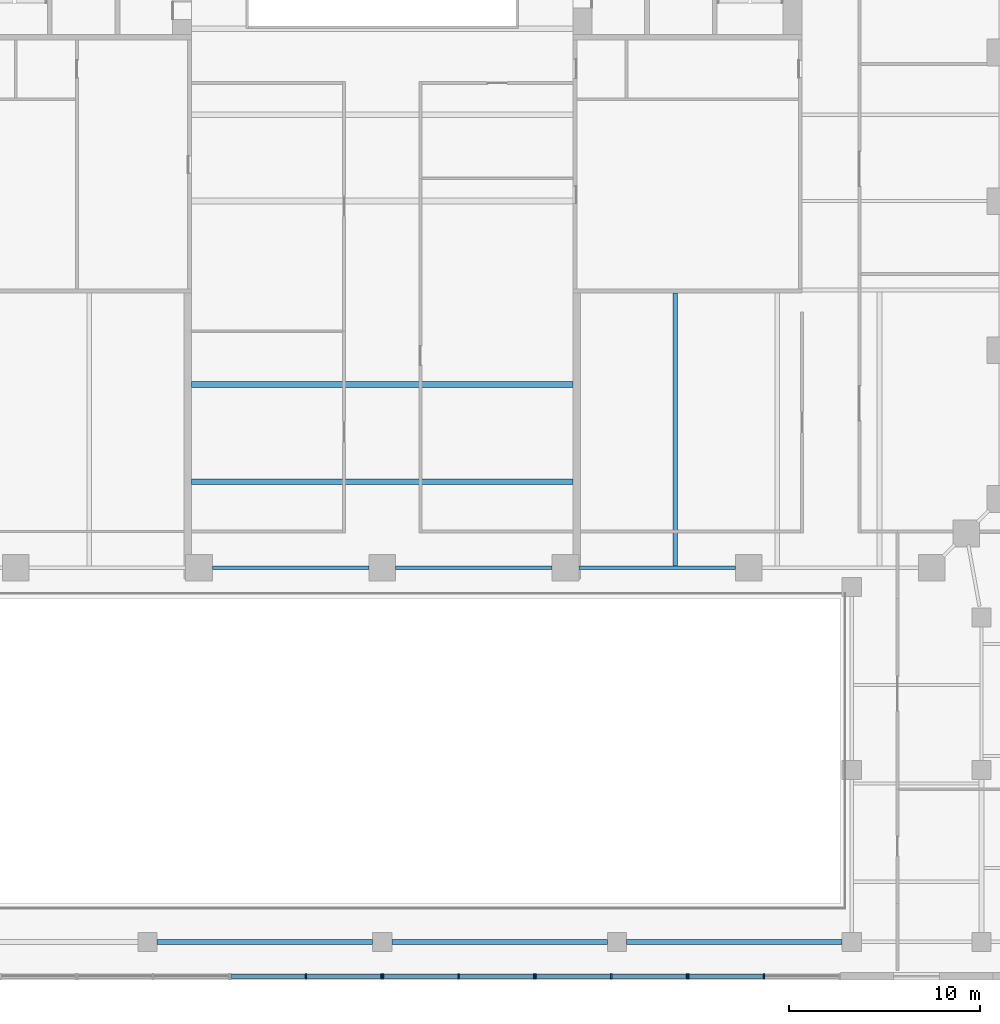
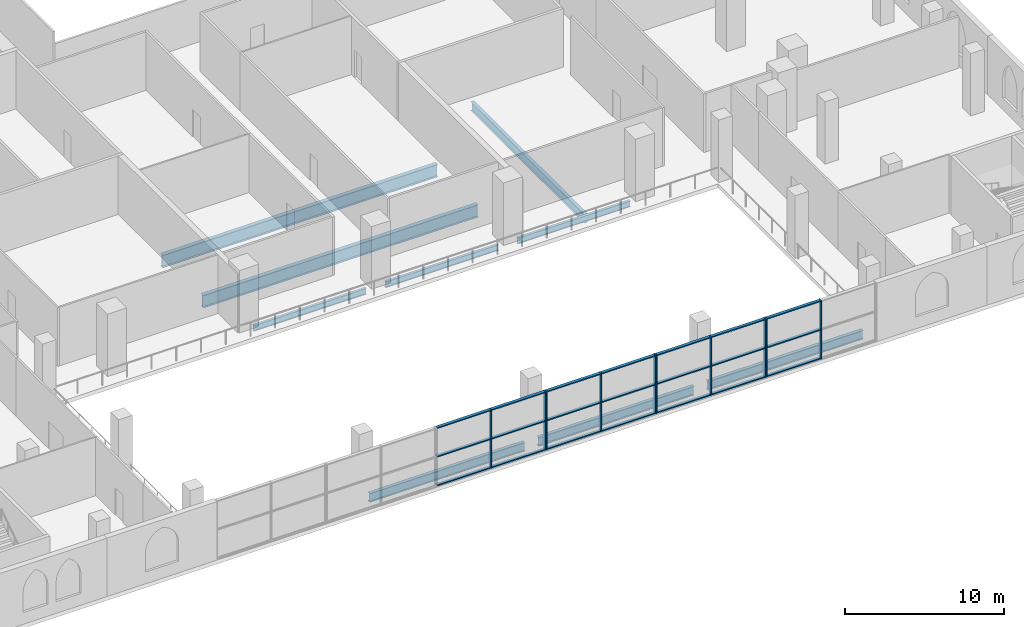
# One storey, part 3 of 19: 31 members, 9 beams, 4 elements without a shape of their own.
"""IFC4 building model written with IfcOpenShell, lengths in metres."""

from ifc_helpers import new_model, si_unit, direction, frame, origin, origin_2d, place, context, subcontext, project, spatial, rectangle, i_section, extrude, material, material_profile, profile_set, type_object, element, aggregate, save


model = new_model("IFC4")

# Units and contexts
model_context = context("Model", 3, precision=1e-05, world=origin(), true_north=direction((0.0, 1.0)))
body_context = subcontext(model_context, "Body", "Model", "MODEL_VIEW")
ifc_project = project(units=[si_unit("LENGTHUNIT", "METRE"), si_unit("AREAUNIT", "SQUARE_METRE"), si_unit("VOLUMEUNIT", "CUBIC_METRE"), si_unit("PLANEANGLEUNIT", "RADIAN"), si_unit("MASSUNIT", "GRAM", prefix="KILO")], contexts=[model_context])

# Site, building, storey
site_placement = place(None, origin())
site = spatial("IfcSite", under=ifc_project, at=site_placement, CompositionType="ELEMENT")
building_placement = place(site_placement, origin())
building = spatial("IfcBuilding", under=site, at=building_placement, Name="Ogive Exchange Tower", CompositionType="ELEMENT")
storey_placement = place(building_placement, frame((0.0, 0.0, 19.199951171875)))
storey = spatial("IfcBuildingStorey", under=building, at=storey_placement, Name="L03", CompositionType="ELEMENT", Elevation=19.199951171875)

# Beams
ifc_material_1 = material(Name="Steel ASTM A992 Gr50", Category="steel")
ifc_material_profile_1 = material_profile(ifc_material_1, i_section(OverallWidth=0.300048828125, OverallDepth=0.969970703125, WebThickness=0.01611328125, FlangeThickness=0.02099609375, at=origin_2d()), Name="W1000x222")
ifc_profile_set_1 = profile_set([ifc_material_profile_1], Name="Steel ASTM A992 Gr50")
beam_type_1 = type_object("IfcBeamType", Name="Floor beam W1000x222", PredefinedType="JOIST", material=ifc_profile_set_1)
for number, where, z_axis, x_axis, name in (
    (1, (-10.0, -25.896728515625, -0.784912109375), (1.0, 0.0, 0.0), (0.0, 1.0, 0.0), "Floor beam"),
    (2, (-10.0, -20.793212890625, -0.784912109375), (1.0, 0.0, 0.0), (0.0, 1.0, 0.0), "Floor beam"),
):
    element("IfcBeam", number, at=place(storey_placement, frame(where, z_axis=z_axis, x_axis=x_axis)), inside=storey, type_object=beam_type_1, Name=name, PredefinedType="JOIST", context=body_context, shape_type="SweptSolid", body=[
        extrude(i_section(OverallWidth=0.300048828125, OverallDepth=0.969970703125, WebThickness=0.01611328125, FlangeThickness=0.02099609375, at=origin_2d()), origin(), (0.0, 0.0, 1.0), 20.0),
    ])
ifc_material_profile_2 = material_profile(ifc_material_1, i_section(OverallWidth=0.25390625, OverallDepth=0.68310546875, WebThickness=0.012451171875, FlangeThickness=0.018798828125, at=origin_2d()), Name="W690x140")
ifc_profile_set_2 = profile_set([ifc_material_profile_2], Name="Steel ASTM A992 Gr50")
beam_type_2 = type_object("IfcBeamType", Name="Floor beam W690x140", PredefinedType="JOIST", material=ifc_profile_set_2)
beam_placement = place(storey_placement, frame((15.35009765625, -30.304443359375, -0.641357421875), z_axis=(0.0, 1.0, 0.0), x_axis=(-1.0, 0.0, 0.0)))
element("IfcBeam", 3, at=beam_placement, inside=storey, type_object=beam_type_2, Name="Floor beam", PredefinedType="JOIST", context=body_context, shape_type="SweptSolid", body=[
    extrude(i_section(OverallWidth=0.25390625, OverallDepth=0.68310546875, WebThickness=0.012451171875, FlangeThickness=0.018798828125, at=origin_2d()), origin(), (0.0, 0.0, 1.0), 14.304443359375),
])

# Curtain wall, members
ifc_material_2 = material(Name="Anodised aluminium and clear glass", Category="aluminium")
curtain_wall_type = type_object("IfcCurtainWallType", Name="Galleria end wall glazing", PredefinedType="NOTDEFINED", material=ifc_material_2)
curtain_wall_1_placement = place(storey_placement, origin())
curtain_wall_1 = element("IfcCurtainWall", 4, at=curtain_wall_1_placement, inside=storey, type_object=curtain_wall_type, Name="Galleria end wall glazing run GE6", PredefinedType="NOTDEFINED")
ifc_material_3 = material(Name="Anodised aluminium", Category="aluminium")
ifc_material_profile_3 = material_profile(ifc_material_3, rectangle(XDim=0.260009765625, YDim=0.080078125, at=origin_2d()), Name="AL 80x260")
ifc_profile_set_3 = profile_set([ifc_material_profile_3], Name="Anodised aluminium")
member_type_1 = type_object("IfcMemberType", Name="Galleria end wall glazing mullion 80 x 260", PredefinedType="MULLION", material=ifc_profile_set_3)
member_1_placement = place(storey_placement, frame((-4.0, -51.800048828125, 0.0), z_axis=(0.0, 0.0, 1.0), x_axis=(0.0, 1.0, 0.0)))
member_1 = element("IfcMember", 5, at=member_1_placement, type_object=member_type_1, Name="GE6 mullion 2", PredefinedType="MULLION", context=body_context, shape_type="SweptSolid", body=[
    extrude(rectangle(XDim=0.260009765625, YDim=0.080078125, at=origin_2d()), origin(), (0.0, 0.0, 1.0), 4.5),
])
member_2_placement = place(storey_placement, frame((-0.0400390625, -51.800048828125, 0.0), z_axis=(0.0, 0.0, 1.0), x_axis=(0.0, 1.0, 0.0)))
member_2 = element("IfcMember", 6, at=member_2_placement, type_object=member_type_1, Name="GE6 mullion 3", PredefinedType="MULLION", context=body_context, shape_type="SweptSolid", body=[
    extrude(rectangle(XDim=0.260009765625, YDim=0.080078125, at=origin_2d()), origin(), (0.0, 0.0, 1.0), 4.5),
])

curtain_wall_2_placement = place(storey_placement, origin())
curtain_wall_2 = element("IfcCurtainWall", 7, at=curtain_wall_2_placement, inside=storey, type_object=curtain_wall_type, Name="Galleria end wall glazing run GE7", PredefinedType="NOTDEFINED")
member_3_placement = place(storey_placement, frame((0.0400390625, -51.800048828125, 0.0), z_axis=(0.0, 0.0, 1.0), x_axis=(0.0, 1.0, 0.0)))
member_3 = element("IfcMember", 8, at=member_3_placement, type_object=member_type_1, Name="GE7 mullion 1", PredefinedType="MULLION", context=body_context, shape_type="SweptSolid", body=[
    extrude(rectangle(XDim=0.260009765625, YDim=0.080078125, at=origin_2d()), origin(), (0.0, 0.0, 1.0), 4.5),
])
member_4_placement = place(storey_placement, frame((4.0, -51.800048828125, 0.0), z_axis=(0.0, 0.0, 1.0), x_axis=(0.0, 1.0, 0.0)))
member_4 = element("IfcMember", 9, at=member_4_placement, type_object=member_type_1, Name="GE7 mullion 2", PredefinedType="MULLION", context=body_context, shape_type="SweptSolid", body=[
    extrude(rectangle(XDim=0.260009765625, YDim=0.080078125, at=origin_2d()), origin(), (0.0, 0.0, 1.0), 4.5),
])
member_5_placement = place(storey_placement, frame((7.9599609375, -51.800048828125, 0.0), z_axis=(0.0, 0.0, 1.0), x_axis=(0.0, 1.0, 0.0)))
member_5 = element("IfcMember", 10, at=member_5_placement, type_object=member_type_1, Name="GE7 mullion 3", PredefinedType="MULLION", context=body_context, shape_type="SweptSolid", body=[
    extrude(rectangle(XDim=0.260009765625, YDim=0.080078125, at=origin_2d()), origin(), (0.0, 0.0, 1.0), 4.5),
])

curtain_wall_3_placement = place(storey_placement, origin())
curtain_wall_3 = element("IfcCurtainWall", 11, at=curtain_wall_3_placement, inside=storey, type_object=curtain_wall_type, Name="Galleria end wall glazing run GE8", PredefinedType="NOTDEFINED")
member_6_placement = place(storey_placement, frame((8.0400390625, -51.800048828125, 0.0), z_axis=(0.0, 0.0, 1.0), x_axis=(0.0, 1.0, 0.0)))
member_6 = element("IfcMember", 12, at=member_6_placement, type_object=member_type_1, Name="GE8 mullion 1", PredefinedType="MULLION", context=body_context, shape_type="SweptSolid", body=[
    extrude(rectangle(XDim=0.260009765625, YDim=0.080078125, at=origin_2d()), origin(), (0.0, 0.0, 1.0), 4.5),
])
member_7_placement = place(storey_placement, frame((12.0, -51.800048828125, 0.0), z_axis=(0.0, 0.0, 1.0), x_axis=(0.0, 1.0, 0.0)))
member_7 = element("IfcMember", 13, at=member_7_placement, type_object=member_type_1, Name="GE8 mullion 2", PredefinedType="MULLION", context=body_context, shape_type="SweptSolid", body=[
    extrude(rectangle(XDim=0.260009765625, YDim=0.080078125, at=origin_2d()), origin(), (0.0, 0.0, 1.0), 4.5),
])
member_8_placement = place(storey_placement, frame((15.9599609375, -51.800048828125, 0.0), z_axis=(0.0, 0.0, 1.0), x_axis=(0.0, 1.0, 0.0)))
member_8 = element("IfcMember", 14, at=member_8_placement, type_object=member_type_1, Name="GE8 mullion 3", PredefinedType="MULLION", context=body_context, shape_type="SweptSolid", body=[
    extrude(rectangle(XDim=0.260009765625, YDim=0.080078125, at=origin_2d()), origin(), (0.0, 0.0, 1.0), 4.5),
])

curtain_wall_4_placement = place(storey_placement, origin())
curtain_wall_4 = element("IfcCurtainWall", 15, at=curtain_wall_4_placement, inside=storey, type_object=curtain_wall_type, Name="Galleria end wall glazing run GE9", PredefinedType="NOTDEFINED")
member_9_placement = place(storey_placement, frame((16.0400390625, -51.800048828125, 0.0), z_axis=(0.0, 0.0, 1.0), x_axis=(0.0, 1.0, 0.0)))
member_9 = element("IfcMember", 16, at=member_9_placement, type_object=member_type_1, Name="GE9 mullion 1", PredefinedType="MULLION", context=body_context, shape_type="SweptSolid", body=[
    extrude(rectangle(XDim=0.260009765625, YDim=0.080078125, at=origin_2d()), origin(), (0.0, 0.0, 1.0), 4.5),
])
member_10_placement = place(storey_placement, frame((20.0, -51.800048828125, 0.0), z_axis=(0.0, 0.0, 1.0), x_axis=(0.0, 1.0, 0.0)))
member_10 = element("IfcMember", 17, at=member_10_placement, type_object=member_type_1, Name="GE9 mullion 2", PredefinedType="MULLION", context=body_context, shape_type="SweptSolid", body=[
    extrude(rectangle(XDim=0.260009765625, YDim=0.080078125, at=origin_2d()), origin(), (0.0, 0.0, 1.0), 4.5),
])

# Member
ifc_material_profile_4 = material_profile(ifc_material_3, rectangle(XDim=0.219970703125, YDim=0.080078125, at=origin_2d()), Name="AL 80x220")
ifc_profile_set_4 = profile_set([ifc_material_profile_4], Name="Anodised aluminium")
member_type_2 = type_object("IfcMemberType", Name="Galleria end wall glazing transom 80 x 220", PredefinedType="USERDEFINED", material=ifc_profile_set_4)
member_11_placement = place(storey_placement, frame((-7.919921875, -51.800048828125, 0.0400390625), z_axis=(1.0, 0.0, 0.0), x_axis=(0.0, 1.0, 0.0)))
member_11 = element("IfcMember", 18, at=member_11_placement, type_object=member_type_2, Name="GE6 transom 1.1", ObjectType="TRANSOM", PredefinedType="USERDEFINED", context=body_context, shape_type="SweptSolid", body=[
    extrude(rectangle(XDim=0.219970703125, YDim=0.080078125, at=origin_2d()), origin(), (0.0, 0.0, 1.0), 3.8798828125),
])

member_12_placement = place(storey_placement, frame((-7.919921875, -51.800048828125, 2.25), z_axis=(1.0, 0.0, 0.0), x_axis=(0.0, 1.0, 0.0)))
member_12 = element("IfcMember", 19, at=member_12_placement, type_object=member_type_2, Name="GE6 transom 1.2", ObjectType="TRANSOM", PredefinedType="USERDEFINED", context=body_context, shape_type="SweptSolid", body=[
    extrude(rectangle(XDim=0.219970703125, YDim=0.080078125, at=origin_2d()), origin(), (0.0, 0.0, 1.0), 3.8798828125),
])

member_13_placement = place(storey_placement, frame((-7.919921875, -51.800048828125, 4.4599609375), z_axis=(1.0, 0.0, 0.0), x_axis=(0.0, 1.0, 0.0)))
member_13 = element("IfcMember", 20, at=member_13_placement, type_object=member_type_2, Name="GE6 transom 1.3", ObjectType="TRANSOM", PredefinedType="USERDEFINED", context=body_context, shape_type="SweptSolid", body=[
    extrude(rectangle(XDim=0.219970703125, YDim=0.080078125, at=origin_2d()), origin(), (0.0, 0.0, 1.0), 3.8798828125),
])

member_14_placement = place(storey_placement, frame((-3.9599609375, -51.800048828125, 0.0400390625), z_axis=(1.0, 0.0, 0.0), x_axis=(0.0, 1.0, 0.0)))
member_14 = element("IfcMember", 21, at=member_14_placement, type_object=member_type_2, Name="GE6 transom 2.1", ObjectType="TRANSOM", PredefinedType="USERDEFINED", context=body_context, shape_type="SweptSolid", body=[
    extrude(rectangle(XDim=0.219970703125, YDim=0.080078125, at=origin_2d()), origin(), (0.0, 0.0, 1.0), 3.8798828125),
])

member_15_placement = place(storey_placement, frame((-3.9599609375, -51.800048828125, 2.25), z_axis=(1.0, 0.0, 0.0), x_axis=(0.0, 1.0, 0.0)))
member_15 = element("IfcMember", 22, at=member_15_placement, type_object=member_type_2, Name="GE6 transom 2.2", ObjectType="TRANSOM", PredefinedType="USERDEFINED", context=body_context, shape_type="SweptSolid", body=[
    extrude(rectangle(XDim=0.219970703125, YDim=0.080078125, at=origin_2d()), origin(), (0.0, 0.0, 1.0), 3.8798828125),
])

member_16_placement = place(storey_placement, frame((-3.9599609375, -51.800048828125, 4.4599609375), z_axis=(1.0, 0.0, 0.0), x_axis=(0.0, 1.0, 0.0)))
member_16 = element("IfcMember", 23, at=member_16_placement, type_object=member_type_2, Name="GE6 transom 2.3", ObjectType="TRANSOM", PredefinedType="USERDEFINED", context=body_context, shape_type="SweptSolid", body=[
    extrude(rectangle(XDim=0.219970703125, YDim=0.080078125, at=origin_2d()), origin(), (0.0, 0.0, 1.0), 3.8798828125),
])

aggregate(curtain_wall_1, [member_1, member_2, member_11, member_12, member_13, member_14, member_15, member_16])

member_17_placement = place(storey_placement, frame((0.080078125, -51.800048828125, 0.0400390625), z_axis=(1.0, 0.0, 0.0), x_axis=(0.0, 1.0, 0.0)))
member_17 = element("IfcMember", 24, at=member_17_placement, type_object=member_type_2, Name="GE7 transom 1.1", ObjectType="TRANSOM", PredefinedType="USERDEFINED", context=body_context, shape_type="SweptSolid", body=[
    extrude(rectangle(XDim=0.219970703125, YDim=0.080078125, at=origin_2d()), origin(), (0.0, 0.0, 1.0), 3.8798828125),
])

member_18_placement = place(storey_placement, frame((0.080078125, -51.800048828125, 2.25), z_axis=(1.0, 0.0, 0.0), x_axis=(0.0, 1.0, 0.0)))
member_18 = element("IfcMember", 25, at=member_18_placement, type_object=member_type_2, Name="GE7 transom 1.2", ObjectType="TRANSOM", PredefinedType="USERDEFINED", context=body_context, shape_type="SweptSolid", body=[
    extrude(rectangle(XDim=0.219970703125, YDim=0.080078125, at=origin_2d()), origin(), (0.0, 0.0, 1.0), 3.8798828125),
])

member_19_placement = place(storey_placement, frame((0.080078125, -51.800048828125, 4.4599609375), z_axis=(1.0, 0.0, 0.0), x_axis=(0.0, 1.0, 0.0)))
member_19 = element("IfcMember", 26, at=member_19_placement, type_object=member_type_2, Name="GE7 transom 1.3", ObjectType="TRANSOM", PredefinedType="USERDEFINED", context=body_context, shape_type="SweptSolid", body=[
    extrude(rectangle(XDim=0.219970703125, YDim=0.080078125, at=origin_2d()), origin(), (0.0, 0.0, 1.0), 3.8798828125),
])

member_20_placement = place(storey_placement, frame((4.0400390625, -51.800048828125, 0.0400390625), z_axis=(1.0, 0.0, 0.0), x_axis=(0.0, 1.0, 0.0)))
member_20 = element("IfcMember", 27, at=member_20_placement, type_object=member_type_2, Name="GE7 transom 2.1", ObjectType="TRANSOM", PredefinedType="USERDEFINED", context=body_context, shape_type="SweptSolid", body=[
    extrude(rectangle(XDim=0.219970703125, YDim=0.080078125, at=origin_2d()), origin(), (0.0, 0.0, 1.0), 3.8798828125),
])

member_21_placement = place(storey_placement, frame((4.0400390625, -51.800048828125, 2.25), z_axis=(1.0, 0.0, 0.0), x_axis=(0.0, 1.0, 0.0)))
member_21 = element("IfcMember", 28, at=member_21_placement, type_object=member_type_2, Name="GE7 transom 2.2", ObjectType="TRANSOM", PredefinedType="USERDEFINED", context=body_context, shape_type="SweptSolid", body=[
    extrude(rectangle(XDim=0.219970703125, YDim=0.080078125, at=origin_2d()), origin(), (0.0, 0.0, 1.0), 3.8798828125),
])

member_22_placement = place(storey_placement, frame((4.0400390625, -51.800048828125, 4.4599609375), z_axis=(1.0, 0.0, 0.0), x_axis=(0.0, 1.0, 0.0)))
member_22 = element("IfcMember", 29, at=member_22_placement, type_object=member_type_2, Name="GE7 transom 2.3", ObjectType="TRANSOM", PredefinedType="USERDEFINED", context=body_context, shape_type="SweptSolid", body=[
    extrude(rectangle(XDim=0.219970703125, YDim=0.080078125, at=origin_2d()), origin(), (0.0, 0.0, 1.0), 3.8798828125),
])

aggregate(curtain_wall_2, [member_3, member_4, member_5, member_17, member_18, member_19, member_20, member_21, member_22])

member_23_placement = place(storey_placement, frame((8.080078125, -51.800048828125, 0.0400390625), z_axis=(1.0, 0.0, 0.0), x_axis=(0.0, 1.0, 0.0)))
member_23 = element("IfcMember", 30, at=member_23_placement, type_object=member_type_2, Name="GE8 transom 1.1", ObjectType="TRANSOM", PredefinedType="USERDEFINED", context=body_context, shape_type="SweptSolid", body=[
    extrude(rectangle(XDim=0.219970703125, YDim=0.080078125, at=origin_2d()), origin(), (0.0, 0.0, 1.0), 3.8798828125),
])

member_24_placement = place(storey_placement, frame((8.080078125, -51.800048828125, 2.25), z_axis=(1.0, 0.0, 0.0), x_axis=(0.0, 1.0, 0.0)))
member_24 = element("IfcMember", 31, at=member_24_placement, type_object=member_type_2, Name="GE8 transom 1.2", ObjectType="TRANSOM", PredefinedType="USERDEFINED", context=body_context, shape_type="SweptSolid", body=[
    extrude(rectangle(XDim=0.219970703125, YDim=0.080078125, at=origin_2d()), origin(), (0.0, 0.0, 1.0), 3.8798828125),
])

member_25_placement = place(storey_placement, frame((8.080078125, -51.800048828125, 4.4599609375), z_axis=(1.0, 0.0, 0.0), x_axis=(0.0, 1.0, 0.0)))
member_25 = element("IfcMember", 32, at=member_25_placement, type_object=member_type_2, Name="GE8 transom 1.3", ObjectType="TRANSOM", PredefinedType="USERDEFINED", context=body_context, shape_type="SweptSolid", body=[
    extrude(rectangle(XDim=0.219970703125, YDim=0.080078125, at=origin_2d()), origin(), (0.0, 0.0, 1.0), 3.8798828125),
])

member_26_placement = place(storey_placement, frame((12.0400390625, -51.800048828125, 0.0400390625), z_axis=(1.0, 0.0, 0.0), x_axis=(0.0, 1.0, 0.0)))
member_26 = element("IfcMember", 33, at=member_26_placement, type_object=member_type_2, Name="GE8 transom 2.1", ObjectType="TRANSOM", PredefinedType="USERDEFINED", context=body_context, shape_type="SweptSolid", body=[
    extrude(rectangle(XDim=0.219970703125, YDim=0.080078125, at=origin_2d()), origin(), (0.0, 0.0, 1.0), 3.8798828125),
])

member_27_placement = place(storey_placement, frame((12.0400390625, -51.800048828125, 2.25), z_axis=(1.0, 0.0, 0.0), x_axis=(0.0, 1.0, 0.0)))
member_27 = element("IfcMember", 34, at=member_27_placement, type_object=member_type_2, Name="GE8 transom 2.2", ObjectType="TRANSOM", PredefinedType="USERDEFINED", context=body_context, shape_type="SweptSolid", body=[
    extrude(rectangle(XDim=0.219970703125, YDim=0.080078125, at=origin_2d()), origin(), (0.0, 0.0, 1.0), 3.8798828125),
])

member_28_placement = place(storey_placement, frame((12.0400390625, -51.800048828125, 4.4599609375), z_axis=(1.0, 0.0, 0.0), x_axis=(0.0, 1.0, 0.0)))
member_28 = element("IfcMember", 35, at=member_28_placement, type_object=member_type_2, Name="GE8 transom 2.3", ObjectType="TRANSOM", PredefinedType="USERDEFINED", context=body_context, shape_type="SweptSolid", body=[
    extrude(rectangle(XDim=0.219970703125, YDim=0.080078125, at=origin_2d()), origin(), (0.0, 0.0, 1.0), 3.8798828125),
])

aggregate(curtain_wall_3, [member_6, member_7, member_8, member_23, member_24, member_25, member_26, member_27, member_28])

member_29_placement = place(storey_placement, frame((16.080078125, -51.800048828125, 0.0400390625), z_axis=(1.0, 0.0, 0.0), x_axis=(0.0, 1.0, 0.0)))
member_29 = element("IfcMember", 36, at=member_29_placement, type_object=member_type_2, Name="GE9 transom 1.1", ObjectType="TRANSOM", PredefinedType="USERDEFINED", context=body_context, shape_type="SweptSolid", body=[
    extrude(rectangle(XDim=0.219970703125, YDim=0.080078125, at=origin_2d()), origin(), (0.0, 0.0, 1.0), 3.8798828125),
])

member_30_placement = place(storey_placement, frame((16.080078125, -51.800048828125, 2.25), z_axis=(1.0, 0.0, 0.0), x_axis=(0.0, 1.0, 0.0)))
member_30 = element("IfcMember", 37, at=member_30_placement, type_object=member_type_2, Name="GE9 transom 1.2", ObjectType="TRANSOM", PredefinedType="USERDEFINED", context=body_context, shape_type="SweptSolid", body=[
    extrude(rectangle(XDim=0.219970703125, YDim=0.080078125, at=origin_2d()), origin(), (0.0, 0.0, 1.0), 3.8798828125),
])

member_31_placement = place(storey_placement, frame((16.080078125, -51.800048828125, 4.4599609375), z_axis=(1.0, 0.0, 0.0), x_axis=(0.0, 1.0, 0.0)))
member_31 = element("IfcMember", 38, at=member_31_placement, type_object=member_type_2, Name="GE9 transom 1.3", ObjectType="TRANSOM", PredefinedType="USERDEFINED", context=body_context, shape_type="SweptSolid", body=[
    extrude(rectangle(XDim=0.219970703125, YDim=0.080078125, at=origin_2d()), origin(), (0.0, 0.0, 1.0), 3.8798828125),
])

aggregate(curtain_wall_4, [member_9, member_10, member_29, member_30, member_31])

# Beams
ifc_material_profile_5 = material_profile(ifc_material_1, i_section(OverallWidth=0.19091796875, OverallDepth=0.45703125, WebThickness=0.009033203125, FlangeThickness=0.014404296875, at=origin_2d()), Name="W460x74")
ifc_profile_set_5 = profile_set([ifc_material_profile_5], Name="Steel ASTM A992 Gr50")
beam_type_3 = type_object("IfcBeamType", Name="Girder W460x74", PredefinedType="BEAM", material=ifc_profile_set_5)
for number, where, z_axis, x_axis, name in (
    (39, (-8.89990234375, -30.39990234375, -0.528564453125), (1.0, 0.0, 0.0), (0.0, 1.0, 0.0), "Girder"),
    (40, (0.699951171875, -30.39990234375, -0.528564453125), (1.0, 0.0, 0.0), (0.0, 1.0, 0.0), "Girder"),
    (41, (10.300048828125, -30.39990234375, -0.528564453125), (1.0, 0.0, 0.0), (0.0, 1.0, 0.0), "Girder"),
):
    element("IfcBeam", number, at=place(storey_placement, frame(where, z_axis=z_axis, x_axis=x_axis)), inside=storey, type_object=beam_type_3, Name=name, PredefinedType="BEAM", context=body_context, shape_type="SweptSolid", body=[
        extrude(i_section(OverallWidth=0.19091796875, OverallDepth=0.45703125, WebThickness=0.009033203125, FlangeThickness=0.014404296875, at=origin_2d()), origin(), (0.0, 0.0, 1.0), 8.199951171875),
    ])
ifc_material_profile_6 = material_profile(ifc_material_1, i_section(OverallWidth=0.25390625, OverallDepth=0.677978515625, WebThickness=0.01171875, FlangeThickness=0.016357421875, at=origin_2d()), Name="W690x125")
ifc_profile_set_6 = profile_set([ifc_material_profile_6], Name="Steel ASTM A992 Gr50")
beam_type_4 = type_object("IfcBeamType", Name="Girder W690x125", PredefinedType="BEAM", material=ifc_profile_set_6)
for number, where, z_axis, x_axis, name in (
    (42, (-11.800048828125, -50.0, -0.638916015625), (1.0, 0.0, 0.0), (0.0, 1.0, 0.0), "Girder"),
    (43, (0.5, -50.0, -0.638916015625), (1.0, 0.0, 0.0), (0.0, 1.0, 0.0), "Girder"),
    (44, (12.800048828125, -50.0, -0.638916015625), (1.0, 0.0, 0.0), (0.0, 1.0, 0.0), "Girder"),
):
    element("IfcBeam", number, at=place(storey_placement, frame(where, z_axis=z_axis, x_axis=x_axis)), inside=storey, type_object=beam_type_4, Name=name, PredefinedType="BEAM", context=body_context, shape_type="SweptSolid", body=[
        extrude(i_section(OverallWidth=0.25390625, OverallDepth=0.677978515625, WebThickness=0.01171875, FlangeThickness=0.016357421875, at=origin_2d()), origin(), (0.0, 0.0, 1.0), 11.300048828125),
    ])

save(model, "model.ifc")
